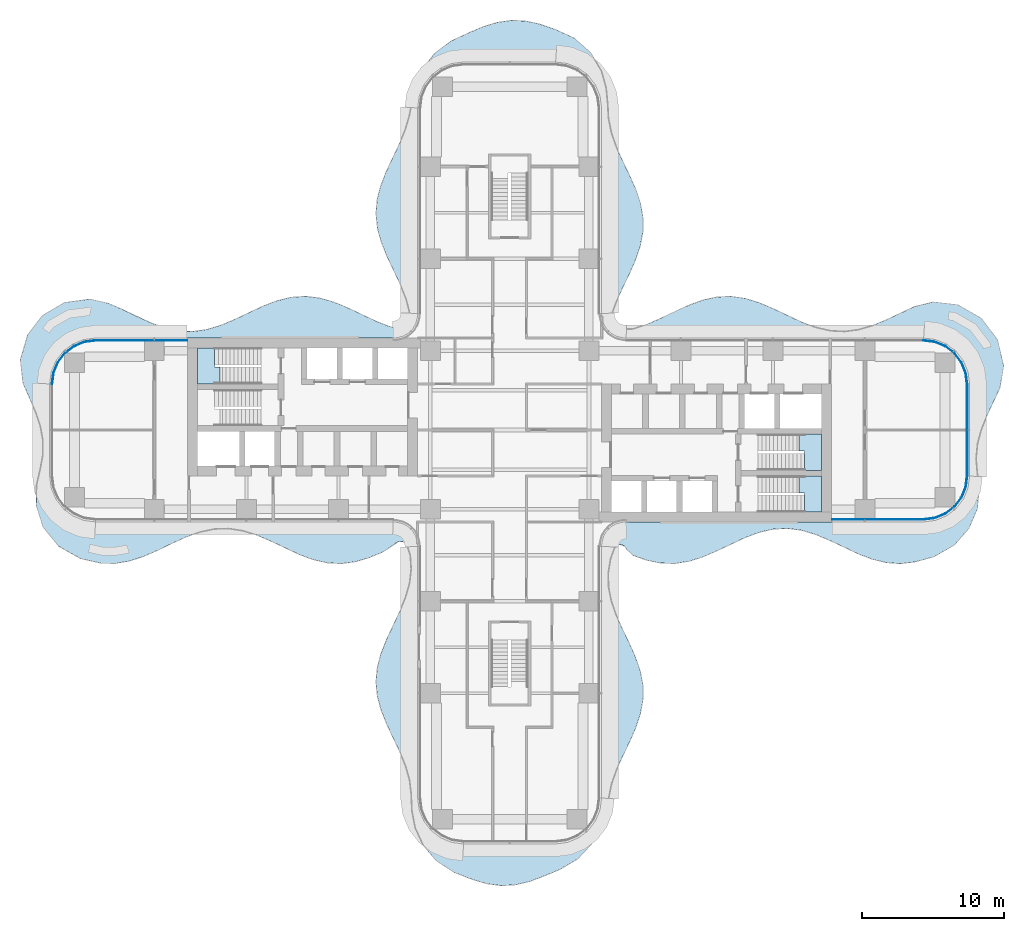
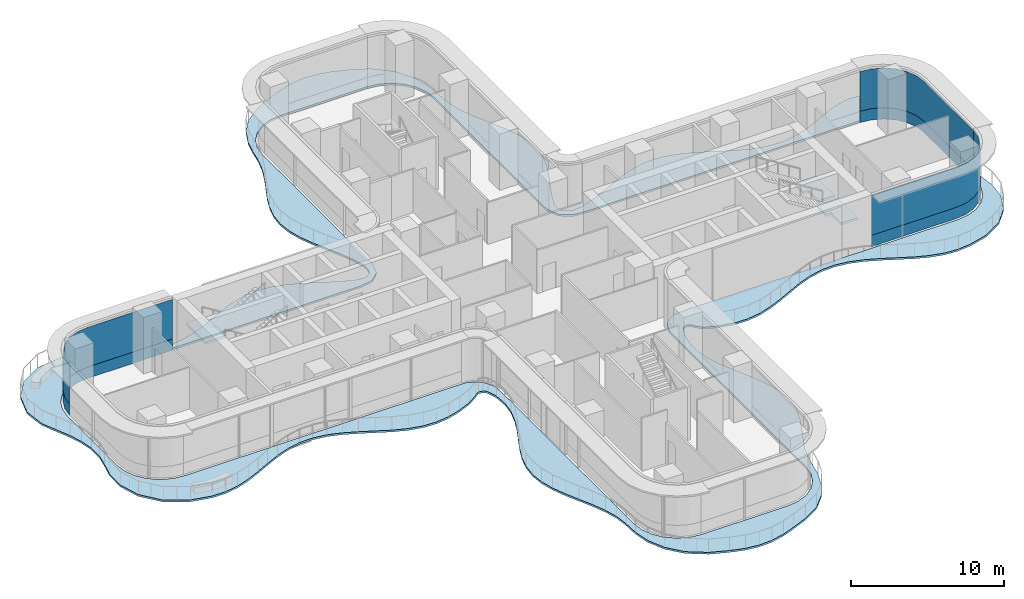
# One storey, part 15 of 22: 6 plates, 4 slabs, 6 elements without a shape of their own.
"""IFC4 building model written with IfcOpenShell, lengths in metres."""

from ifc_helpers import new_model, si_unit, direction, frame, origin, place, context, subcontext, project, spatial, polyline, outline, extrude, source, transform, mapped, material, layer, layer_set, type_object, element, aggregate, save


model = new_model("IFC4")

# Units and contexts
model_context = context("Model", 3, precision=1e-05, world=origin(), true_north=direction((0.0, 1.0)))
body_context = subcontext(model_context, "Body", "Model", "MODEL_VIEW")
ifc_project = project(units=[si_unit("LENGTHUNIT", "METRE"), si_unit("AREAUNIT", "SQUARE_METRE"), si_unit("VOLUMEUNIT", "CUBIC_METRE"), si_unit("PLANEANGLEUNIT", "RADIAN"), si_unit("MASSUNIT", "GRAM", prefix="KILO")], contexts=[model_context])

# Site, building, storey
site_placement = place(None, origin())
site = spatial("IfcSite", under=ifc_project, at=site_placement, CompositionType="ELEMENT")
building_placement = place(site_placement, origin())
building = spatial("IfcBuilding", under=site, at=building_placement, Name="Trellis Farm Tower", CompositionType="ELEMENT")
storey_placement = place(building_placement, frame((0.0, 0.0, 65.5)))
storey = spatial("IfcBuildingStorey", under=building, at=storey_placement, Name="L13", CompositionType="ELEMENT", Elevation=65.5)

# Slab
ifc_material_1 = material(Name="Concrete C40/50", Category="concrete")
ifc_layer_1 = layer(ifc_material_1, 0.14990234375)
ifc_layer_set_1 = layer_set([ifc_layer_1], Name="Balcony slab 150")
slab_type_1 = type_object("IfcSlabType", Name="Balcony slab 150", PredefinedType="FLOOR", material=ifc_layer_set_1)
slab_1_placement = place(storey_placement, frame((0.0, 0.0, -0.14990234375)))
element("IfcSlab", 1, at=slab_1_placement, inside=storey, type_object=slab_type_1, Name="Balcony slab", PredefinedType="FLOOR", context=body_context, shape_type="SweptSolid", body=[
    extrude(outline(polyline([(-33.1640625, -2.758056640625), (-32.98291015625, -1.7919921875), (-32.981689453125, -1.77880859375), (-32.9765625, -0.733154296875), (-32.977783203125, -0.71923828125), (-33.155517578125, 0.2587890625), (-33.158203125, 0.26904296875), (-33.475341796875, 1.21826171875), (-33.4775390625, 1.224365234375), (-34.379638671875, 3.302978515625), (-34.39111328125, 3.345703125), (-34.5693359375, 4.8984375), (-34.56982421875, 4.9287109375), (-34.56640625, 4.966064453125), (-34.56103515625, 4.9951171875), (-34.072265625, 6.67822265625), (-34.061767578125, 6.704345703125), (-34.04541015625, 6.73681640625), (-34.030517578125, 6.760498046875), (-33.012451171875, 8.07958984375), (-32.992431640625, 8.10107421875), (-32.964111328125, 8.1259765625), (-32.940185546875, 8.142822265625), (-31.478759765625, 8.98681640625), (-31.451904296875, 8.9990234375), (-31.416015625, 9.01123046875), (-31.387451171875, 9.017822265625), (-29.67529296875, 9.244873046875), (-29.648193359375, 9.245849609375), (-29.613525390625, 9.244384765625), (-29.58642578125, 9.240478515625), (-28.376220703125, 8.957275390625), (-28.3505859375, 8.94873046875), (-27.3798828125, 8.52880859375), (-27.37451171875, 8.526123046875), (-26.386962890625, 8.05078125), (-26.3857421875, 8.050048828125), (-25.4013671875, 7.59814453125), (-25.39599609375, 7.595947265625), (-24.416015625, 7.233642578125), (-24.406494140625, 7.23095703125), (-23.428466796875, 7.00927734375), (-23.415771484375, 7.007568359375), (-22.434326171875, 6.9580078125), (-22.420654296875, 6.958740234375), (-21.431396484375, 7.09130859375), (-21.419677734375, 7.09375), (-20.38818359375, 7.405029296875), (-20.380615234375, 7.40771484375), (-19.398193359375, 7.82421875), (-19.3955078125, 7.8251953125), (-17.4208984375, 8.7578125), (-17.410400390625, 8.76220703125), (-16.432373046875, 9.135498046875), (-16.414306640625, 9.14111328125), (-15.443115234375, 9.37646484375), (-15.41748046875, 9.38037109375), (-14.4169921875, 9.445068359375), (-14.388916015625, 9.444091796875), (-13.42041015625, 9.3251953125), (-13.39697265625, 9.3203125), (-12.423828125, 9.03857421875), (-12.408203125, 9.033203125), (-11.427001953125, 8.62744140625), (-11.420166015625, 8.62451171875), (-9.44580078125, 7.689697265625), (-9.441162109375, 7.6875), (-8.41748046875, 7.288330078125), (-8.40380859375, 7.284423828125), (-7.833740234375, 7.1806640625), (-7.818603515625, 7.179443359375), (-7.70068359375, 7.181884765625), (-7.67138671875, 7.188720703125), (-7.564208984375, 7.237548828125), (-7.551025390625, 7.2451171875), (-7.26318359375, 7.455078125), (-7.251708984375, 7.465576171875), (-7.170654296875, 7.5556640625), (-7.155517578125, 7.58203125), (-7.11767578125, 7.697265625), (-7.114501953125, 7.71240234375), (-7.058837890625, 8.22216796875), (-7.05859375, 8.236328125), (-7.068115234375, 8.353515625), (-7.070556640625, 8.36767578125), (-7.31591796875, 9.25244140625), (-7.318603515625, 9.26025390625), (-7.727294921875, 10.27978515625), (-7.72900390625, 10.283935546875), (-8.66845703125, 12.267333984375), (-8.671875, 12.275390625), (-9.064453125, 13.24609375), (-9.070068359375, 13.262451171875), (-9.33837890625, 14.23486328125), (-9.343017578125, 14.25927734375), (-9.447021484375, 15.259765625), (-9.447021484375, 15.287841796875), (-9.36572265625, 16.256591796875), (-9.36181640625, 16.281005859375), (-9.118896484375, 17.232421875), (-9.11328125, 17.25), (-8.723388671875, 18.2490234375), (-8.71923828125, 18.2587890625), (-7.784912109375, 20.23291015625), (-7.783447265625, 20.236328125), (-7.375244140625, 21.21826171875), (-7.37255859375, 21.22607421875), (-7.08251953125, 22.2158203125), (-7.08056640625, 22.223388671875), (-6.88525390625, 23.289794921875), (-6.88330078125, 23.298583984375), (-6.62109375, 24.36376953125), (-6.61328125, 24.38720703125), (-6.130615234375, 25.51025390625), (-6.112548828125, 25.541259765625), (-5.321533203125, 26.59130859375), (-5.291015625, 26.62158203125), (-4.14501953125, 27.47119140625), (-4.119140625, 27.486572265625), (-2.87646484375, 28.068115234375), (-2.87158203125, 28.0703125), (-1.889892578125, 28.487548828125), (-1.875, 28.492919921875), (-0.875, 28.798583984375), (-0.85205078125, 28.8037109375), (0.122314453125, 28.940185546875), (0.149658203125, 28.94140625), (1.118896484375, 28.8984375), (1.14453125, 28.89501953125), (2.114990234375, 28.68017578125), (2.130859375, 28.67578125), (3.177001953125, 28.320068359375), (3.190673828125, 28.314697265625), (4.54345703125, 27.700439453125), (4.581298828125, 27.67578125), (5.7333984375, 26.646240234375), (5.762939453125, 26.60986328125), (6.48193359375, 25.376220703125), (6.496826171875, 25.3408203125), (6.814697265625, 24.19091796875), (6.819580078125, 24.16552734375), (6.927978515625, 23.05419921875), (6.928466796875, 23.0478515625), (6.98388671875, 22.0283203125), (6.985107421875, 22.017578125), (7.1943359375, 20.982421875), (7.197021484375, 20.97216796875), (7.544189453125, 19.99267578125), (7.54638671875, 19.98681640625), (7.99072265625, 19.0029296875), (7.991455078125, 19.001220703125), (8.470458984375, 18.0087890625), (8.472412109375, 18.004150390625), (8.9111328125, 17.010986328125), (8.916259765625, 16.997802734375), (9.245849609375, 16.012939453125), (9.251220703125, 15.99169921875), (9.425048828125, 15.015625), (9.42724609375, 14.988525390625), (9.423095703125, 14.018798828125), (9.42041015625, 13.9921875), (9.240234375, 13.022705078125), (9.23486328125, 13.001708984375), (8.9033203125, 12.026123046875), (8.8984375, 12.013427734375), (8.464111328125, 11.03466796875), (8.4619140625, 11.0302734375), (7.98291015625, 10.0380859375), (7.982177734375, 10.0361328125), (7.537353515625, 9.04833984375), (7.53564453125, 9.043701171875), (7.22021484375, 8.203857421875), (7.216064453125, 8.18798828125), (7.197265625, 8.052490234375), (7.197021484375, 8.035888671875), (7.2333984375, 7.59765625), (7.23681640625, 7.581298828125), (7.27587890625, 7.45751953125), (7.29248046875, 7.42919921875), (7.38134765625, 7.33447265625), (7.39404296875, 7.323486328125), (7.706787109375, 7.11279296875), (7.730712890625, 7.102294921875), (7.939697265625, 7.051025390625), (7.966552734375, 7.04931640625), (8.70263671875, 7.139892578125), (8.716796875, 7.14306640625), (9.685546875, 7.458984375), (9.692138671875, 7.461669921875), (10.662841796875, 7.884521484375), (10.66552734375, 7.885498046875), (11.667724609375, 8.3681640625), (11.67041015625, 8.369384765625), (12.65283203125, 8.818359375), (12.663818359375, 8.822998046875), (13.640869140625, 9.17919921875), (13.66015625, 9.18505859375), (14.630615234375, 9.3974609375), (14.656494140625, 9.40087890625), (15.625732421875, 9.440673828125), (15.6533203125, 9.439208984375), (16.627685546875, 9.299560546875), (16.650390625, 9.29443359375), (17.633544921875, 8.992431640625), (17.648193359375, 8.987060546875), (18.647705078125, 8.561767578125), (18.65283203125, 8.559326171875), (20.62646484375, 7.62841796875), (20.632080078125, 7.626220703125), (21.61181640625, 7.255615234375), (21.621337890625, 7.252685546875), (22.65869140625, 7.01123046875), (22.671875, 7.00927734375), (23.6572265625, 6.957763671875), (23.6708984375, 6.958251953125), (24.64990234375, 7.087158203125), (24.661376953125, 7.089599609375), (25.603759765625, 7.3662109375), (25.611328125, 7.368896484375), (26.62939453125, 7.79150390625), (26.6328125, 7.79296875), (28.5869140625, 8.717529296875), (28.615966796875, 8.727783203125), (29.909912109375, 9.03955078125), (29.936279296875, 9.04345703125), (29.970458984375, 9.04541015625), (29.996826171875, 9.044677734375), (31.6142578125, 8.851806640625), (31.643310546875, 8.845458984375), (31.679931640625, 8.833251953125), (31.707275390625, 8.8212890625), (33.263671875, 7.93603515625), (33.288330078125, 7.918701171875), (33.31787109375, 7.892822265625), (33.33837890625, 7.87060546875), (34.446533203125, 6.409423828125), (34.462646484375, 6.3828125), (34.47998046875, 6.34619140625), (34.490234375, 6.316650390625), (34.8994140625, 4.573486328125), (34.9033203125, 4.544189453125), (34.904541015625, 4.50634765625), (34.902587890625, 4.476318359375), (34.653564453125, 3.009033203125), (34.6416015625, 2.970458984375), (33.712646484375, 0.9892578125), (33.7109375, 0.985107421875), (33.325439453125, 0.023193359375), (33.32275390625, 0.014892578125), (33.056884765625, -0.962890625), (33.0546875, -0.975341796875), (32.95361328125, -2.01953125), (32.95361328125, -2.033203125), (33.03857421875, -3.001220703125), (33.038818359375, -3.00390625), (33.179931640625, -4.1533203125), (33.180419921875, -4.185791015625), (33.054931640625, -5.5205078125), (33.043701171875, -5.56494140625), (32.46484375, -6.927734375), (32.439208984375, -6.968505859375), (31.418212890625, -8.125732421875), (31.380126953125, -8.15673828125), (29.9794921875, -8.956787109375), (29.944091796875, -8.97119140625), (28.615478515625, -9.329833984375), (28.593505859375, -9.333984375), (27.61767578125, -9.445556640625), (27.590087890625, -9.4462890625), (26.621337890625, -9.377685546875), (26.59619140625, -9.373779296875), (25.624755859375, -9.135498046875), (25.60693359375, -9.1298828125), (24.639892578125, -8.75927734375), (24.629638671875, -8.7548828125), (22.643798828125, -7.817138671875), (22.640869140625, -7.81591796875), (21.623779296875, -7.388671875), (21.6162109375, -7.385986328125), (20.619140625, -7.08984375), (20.607666015625, -7.08740234375), (19.618408203125, -6.9580078125), (19.6044921875, -6.95751953125), (18.623291015625, -7.010009765625), (18.610595703125, -7.011962890625), (17.6328125, -7.236328125), (17.623291015625, -7.239013671875), (16.6435546875, -7.603515625), (16.6376953125, -7.605712890625), (14.6640625, -8.534912109375), (14.659423828125, -8.536865234375), (13.659912109375, -8.966796875), (13.64599609375, -8.97216796875), (12.68798828125, -9.27587890625), (12.666015625, -9.281005859375), (11.697021484375, -9.43408203125), (11.66943359375, -9.435791015625), (10.668701171875, -9.40771484375), (10.64208984375, -9.404296875), (9.672119140625, -9.20068359375), (9.65234375, -9.195068359375), (8.730224609375, -8.865478515625), (8.69970703125, -8.850341796875), (8.662841796875, -8.82666015625), (8.636474609375, -8.804931640625), (8.26318359375, -8.420654296875), (8.24658203125, -8.400390625), (8.130859375, -8.2294921875), (8.114990234375, -8.212646484375), (7.96728515625, -8.097412109375), (7.923583984375, -8.081787109375), (7.73681640625, -8.07958984375), (7.712890625, -8.0830078125), (7.647216796875, -8.104248046875), (7.632080078125, -8.111083984375), (7.520263671875, -8.17724609375), (7.49658203125, -8.199951171875), (7.424560546875, -8.3076171875), (7.416748046875, -8.322998046875), (7.14013671875, -9.0625), (7.13671875, -9.076171875), (6.970703125, -10.057861328125), (6.9697265625, -10.0712890625), (6.9833984375, -11.05419921875), (6.98486328125, -11.0673828125), (7.174560546875, -12.04541015625), (7.17724609375, -12.0556640625), (7.50390625, -13.006103515625), (7.50634765625, -13.01220703125), (7.952392578125, -14.01513671875), (7.953369140625, -14.017333984375), (8.434326171875, -15.013916015625), (8.436279296875, -15.017578125), (8.876953125, -16.001953125), (8.8818359375, -16.014404296875), (9.226806640625, -17.014404296875), (9.232177734375, -17.034912109375), (9.414794921875, -17.980712890625), (9.41748046875, -18.007080078125), (9.431640625, -18.9765625), (9.4296875, -19.00390625), (9.2587890625, -20.00439453125), (9.25341796875, -20.0263671875), (8.931396484375, -21.001220703125), (8.926513671875, -21.014404296875), (8.498046875, -21.991943359375), (8.49560546875, -21.996826171875), (8.016845703125, -22.989990234375), (8.01611328125, -22.99169921875), (7.568603515625, -23.9755859375), (7.566162109375, -23.981201171875), (7.212890625, -24.9599609375), (7.2099609375, -24.970458984375), (6.779296875, -27.08740234375), (6.773681640625, -27.107421875), (6.390625, -28.191650390625), (6.3798828125, -28.215576171875), (5.788330078125, -29.26220703125), (5.767578125, -29.29052734375), (4.833251953125, -30.29150390625), (4.799560546875, -30.318603515625), (3.555908203125, -31.04931640625), (3.53759765625, -31.058349609375), (2.37841796875, -31.541259765625), (2.373046875, -31.543212890625), (1.395751953125, -31.90771484375), (1.376953125, -31.913330078125), (0.40625, -32.137451171875), (0.380615234375, -32.14111328125), (-0.58837890625, -32.193603515625), (-0.615966796875, -32.192626953125), (-1.58984375, -32.065673828125), (-1.61328125, -32.060546875), (-2.61279296875, -31.763427734375), (-2.6240234375, -31.759765625), (-3.88037109375, -31.276123046875), (-3.90869140625, -31.26171875), (-5.177978515625, -30.431640625), (-5.210693359375, -30.402587890625), (-6.111083984375, -29.32958984375), (-6.1328125, -29.295166015625), (-6.68017578125, -28.09228515625), (-6.691162109375, -28.057373046875), (-6.909423828125, -26.871337890625), (-6.91162109375, -26.849853515625), (-6.95263671875, -25.73974609375), (-6.953125, -25.733642578125), (-7.072021484375, -24.727294921875), (-7.074462890625, -24.715576171875), (-7.353515625, -23.7373046875), (-7.356201171875, -23.7294921875), (-7.75927734375, -22.747802734375), (-7.7607421875, -22.744140625), (-8.69580078125, -20.77001953125), (-8.69970703125, -20.760986328125), (-9.0888671875, -19.78173828125), (-9.094482421875, -19.7646484375), (-9.35205078125, -18.792724609375), (-9.3564453125, -18.768310546875), (-9.447265625, -17.7998046875), (-9.447265625, -17.771728515625), (-9.35302734375, -16.77099609375), (-9.3486328125, -16.74609375), (-9.08837890625, -15.7744140625), (-9.082763671875, -15.757568359375), (-8.691650390625, -14.77783203125), (-8.68798828125, -14.769287109375), (-7.752685546875, -12.794921875), (-7.751220703125, -12.791259765625), (-7.35009765625, -11.809814453125), (-7.347412109375, -11.8017578125), (-7.07080078125, -10.823486328125), (-7.068603515625, -10.811767578125), (-6.955322265625, -9.832275390625), (-6.955078125, -9.818603515625), (-7.021728515625, -8.846923828125), (-7.023193359375, -8.8369140625), (-7.039794921875, -8.757568359375), (-7.042236328125, -8.748291015625), (-7.2529296875, -8.14404296875), (-7.260498046875, -8.12841796875), (-7.334228515625, -8.013427734375), (-7.35888671875, -7.989501953125), (-7.4765625, -7.920654296875), (-7.49267578125, -7.91357421875), (-7.627685546875, -7.872314453125), (-7.645751953125, -7.869140625), (-7.787353515625, -7.862060546875), (-7.822509765625, -7.868896484375), (-7.950927734375, -7.928955078125), (-7.96630859375, -7.9384765625), (-8.202392578125, -8.129150390625), (-8.214111328125, -8.1376953125), (-8.919677734375, -8.602294921875), (-8.944091796875, -8.615234375), (-9.896728515625, -9.013916015625), (-9.912109375, -9.019287109375), (-10.885498046875, -9.308837890625), (-10.908447265625, -9.313720703125), (-11.87744140625, -9.442138671875), (-11.90478515625, -9.443115234375), (-12.8759765625, -9.392578125), (-12.901611328125, -9.38916015625), (-13.88037109375, -9.16455078125), (-13.8994140625, -9.15869140625), (-14.88623046875, -8.790283203125), (-14.897705078125, -8.785400390625), (-16.88427734375, -7.849853515625), (-16.88671875, -7.8486328125), (-17.869384765625, -7.427734375), (-17.87646484375, -7.425048828125), (-18.855224609375, -7.117919921875), (-18.8662109375, -7.115478515625), (-19.8447265625, -6.965087890625), (-19.8583984375, -6.964111328125), (-20.843017578125, -6.992919921875), (-20.856201171875, -6.994384765625), (-21.84912109375, -7.201904296875), (-21.859130859375, -7.20458984375), (-22.8583984375, -7.56298828125), (-22.864013671875, -7.565185546875), (-23.867431640625, -8.021484375), (-23.868896484375, -8.022216796875), (-24.869140625, -8.504150390625), (-24.874267578125, -8.50634765625), (-25.851318359375, -8.933349609375), (-25.86474609375, -8.9384765625), (-26.839599609375, -9.258056640625), (-26.861328125, -9.263427734375), (-27.83056640625, -9.4287109375), (-27.857666015625, -9.4306640625), (-28.823974609375, -9.4189453125), (-28.8544921875, -9.41552734375), (-30.269775390625, -9.103515625), (-30.310546875, -9.087890625), (-31.843994140625, -8.23046875), (-31.867919921875, -8.2138671875), (-31.896484375, -8.189453125), (-31.916748046875, -8.16845703125), (-32.94580078125, -6.8740234375), (-32.960693359375, -6.850830078125), (-32.977783203125, -6.819091796875), (-32.98828125, -6.79345703125), (-33.43798828125, -5.348388671875), (-33.444580078125, -5.302490234375), (-33.4296875, -3.91064453125), (-33.42578125, -3.8779296875), (-33.164794921875, -2.76123046875), (-33.1640625, -2.758056640625)]), holes=[polyline([(-8.456298828125, 6.50048828125), (-29.25, 6.50048828125), (-30.09130859375, 6.389892578125), (-30.875244140625, 6.065185546875), (-31.548583984375, 5.548583984375), (-32.065185546875, 4.875244140625), (-32.389892578125, 4.09130859375), (-32.50048828125, 3.25), (-32.50048828125, -3.25), (-32.389892578125, -4.09130859375), (-32.065185546875, -4.875244140625), (-31.548583984375, -5.548583984375), (-30.875244140625, -6.065185546875), (-30.09130859375, -6.389892578125), (-29.25, -6.50048828125), (-8.893798828125, -6.50048828125), (-7.973388671875, -6.525390625), (-7.94189453125, -6.52978515625), (-7.90234375, -6.539306640625), (-7.872314453125, -6.550048828125), (-7.106689453125, -6.919921875), (-7.0693359375, -6.94580078125), (-7.0283203125, -6.984130859375), (-7.00048828125, -7.019775390625), (-6.58544921875, -7.75439453125), (-6.572265625, -7.785888671875), (-6.559814453125, -7.827880859375), (-6.55419921875, -7.861572265625), (-6.50048828125, -8.785888671875), (-6.50048828125, -26.0), (-6.389892578125, -26.84130859375), (-6.065185546875, -27.625244140625), (-5.548583984375, -28.298583984375), (-4.875244140625, -28.815185546875), (-4.09130859375, -29.139892578125), (-3.25, -29.25048828125), (3.25, -29.25048828125), (4.09130859375, -29.139892578125), (4.875244140625, -28.815185546875), (5.548583984375, -28.298583984375), (6.065185546875, -27.625244140625), (6.389892578125, -26.84130859375), (6.50048828125, -26.0), (6.50048828125, -8.989501953125), (6.511962890625, -8.083984375), (6.514892578125, -8.057373046875), (6.521484375, -8.023193359375), (6.52880859375, -7.997314453125), (6.840087890625, -7.19580078125), (6.863525390625, -7.155517578125), (6.899658203125, -7.111083984375), (6.934326171875, -7.079833984375), (7.63720703125, -6.621826171875), (7.670166015625, -6.605712890625), (7.714111328125, -6.590576171875), (7.749755859375, -6.5830078125), (8.677490234375, -6.50048828125), (29.25, -6.50048828125), (30.09130859375, -6.389892578125), (30.875244140625, -6.065185546875), (31.548583984375, -5.548583984375), (32.065185546875, -4.875244140625), (32.389892578125, -4.09130859375), (32.50048828125, -3.25), (32.50048828125, 3.25), (32.389892578125, 4.09130859375), (32.065185546875, 4.875244140625), (31.548583984375, 5.548583984375), (30.875244140625, 6.065185546875), (30.09130859375, 6.389892578125), (29.25, 6.50048828125), (8.677490234375, 6.50048828125), (7.749755859375, 6.5830078125), (7.714111328125, 6.590576171875), (7.670166015625, 6.605712890625), (7.63720703125, 6.621826171875), (6.934326171875, 7.079833984375), (6.899658203125, 7.111083984375), (6.863525390625, 7.155517578125), (6.840087890625, 7.19580078125), (6.52880859375, 7.997314453125), (6.521484375, 8.023193359375), (6.514892578125, 8.057373046875), (6.511962890625, 8.083984375), (6.50048828125, 8.989501953125), (6.50048828125, 22.75), (6.389892578125, 23.59130859375), (6.065185546875, 24.375244140625), (5.548583984375, 25.048583984375), (4.875244140625, 25.565185546875), (4.09130859375, 25.889892578125), (3.25, 26.00048828125), (-3.25, 26.00048828125), (-4.09130859375, 25.889892578125), (-4.875244140625, 25.565185546875), (-5.548583984375, 25.048583984375), (-6.065185546875, 24.375244140625), (-6.389892578125, 23.59130859375), (-6.50048828125, 22.75), (-6.50048828125, 8.313720703125), (-6.50439453125, 8.282470703125), (-6.724365234375, 7.396484375), (-6.7412109375, 7.355712890625), (-6.768798828125, 7.309814453125), (-6.7958984375, 7.276123046875), (-7.408935546875, 6.71240234375), (-7.444580078125, 6.68798828125), (-7.492919921875, 6.66455078125), (-7.534423828125, 6.651123046875), (-8.439208984375, 6.501953125), (-8.456298828125, 6.50048828125)])]), origin(), (0.0, 0.0, 1.0), 0.14990234375),
])

# Stair, slab
ifc_material_2 = material(Name="Concrete C50/60", Category="concrete")
stair_type = type_object("IfcStairType", Name="CORE EXIT STAIR 26 RISERS 173 MM", PredefinedType="HALF_TURN_STAIR", material=ifc_material_2)
placement_1 = place(storey_placement, origin())
stair_1 = element("IfcStair", 2, at=placement_1, inside=storey, type_object=stair_type, Name="Exit stair E1", PredefinedType="HALF_TURN_STAIR")
ifc_layer_2 = layer(ifc_material_2, 0.18994140625)
ifc_layer_set_2 = layer_set([ifc_layer_2], Name="CORE STAIR LANDING 190 CONCRETE C50/60")
slab_type_2 = type_object("IfcSlabType", Name="CORE STAIR LANDING 190 CONCRETE C50/60", PredefinedType="LANDING", material=ifc_layer_set_2)
shared_shape_1 = source(origin(), body_context, "Body", "SweptSolid", [
    extrude(outline(polyline([(20.840087890625, -5.800048828125), (20.840087890625, -4.60009765625), (20.85009765625, -4.60009765625), (20.85009765625, -4.449951171875), (20.453125, -4.449951171875), (20.453125, -3.25), (20.85009765625, -3.25), (22.050048828125, -3.25), (22.050048828125, -5.800048828125), (20.85009765625, -5.800048828125), (20.840087890625, -5.800048828125)])), origin(), (0.0, 0.0, 1.0), 0.18994140625),
])
placement_2 = place(storey_placement, frame((0.0, 0.0, 2.06005859375)))
slab_2 = element("IfcSlab", 3, at=placement_2, type_object=slab_type_2, Name="STE1 landing 1", PredefinedType="LANDING", context=body_context, shape_type="MappedRepresentation", body=[
    mapped(shared_shape_1, transform((0.0, 0.0, 0.0))),
])
aggregate(stair_1, [slab_2])

stair_2 = element("IfcStair", 4, at=placement_1, inside=storey, type_object=stair_type, Name="Exit stair E2", PredefinedType="HALF_TURN_STAIR")
shared_shape_2 = source(origin(), body_context, "Body", "SweptSolid", [
    extrude(outline(polyline([(20.840087890625, -2.85009765625), (20.840087890625, -1.64990234375), (20.85009765625, -1.64990234375), (20.85009765625, -1.5), (20.453125, -1.5), (20.453125, -0.300048828125), (20.85009765625, -0.300048828125), (22.050048828125, -0.300048828125), (22.050048828125, -2.85009765625), (20.85009765625, -2.85009765625), (20.840087890625, -2.85009765625)])), origin(), (0.0, 0.0, 1.0), 0.18994140625),
])
slab_3 = element("IfcSlab", 5, at=placement_2, type_object=slab_type_2, Name="STE2 landing 1", PredefinedType="LANDING", context=body_context, shape_type="MappedRepresentation", body=[
    mapped(shared_shape_2, transform((0.0, 0.0, 0.0))),
])
aggregate(stair_2, [slab_3])

stair_3 = element("IfcStair", 6, at=placement_1, inside=storey, type_object=stair_type, Name="Exit stair W1", PredefinedType="HALF_TURN_STAIR")
shared_shape_3 = source(origin(), body_context, "Body", "SweptSolid", [
    extrude(outline(polyline([(-20.453125, 4.449951171875), (-20.453125, 3.25), (-20.85009765625, 3.25), (-22.050048828125, 3.25), (-22.050048828125, 5.800048828125), (-20.85009765625, 5.800048828125), (-20.840087890625, 5.800048828125), (-20.840087890625, 4.60009765625), (-20.85009765625, 4.60009765625), (-20.85009765625, 4.449951171875), (-20.453125, 4.449951171875)])), origin(), (0.0, 0.0, 1.0), 0.18994140625),
])
slab_4 = element("IfcSlab", 7, at=placement_2, type_object=slab_type_2, Name="STW1 landing 1", PredefinedType="LANDING", context=body_context, shape_type="MappedRepresentation", body=[
    mapped(shared_shape_3, transform((0.0, 0.0, 0.0))),
])
aggregate(stair_3, [slab_4])

# Curtain wall, plates
ifc_material_3 = material(Name="Aluminium and glass curtain wall", Category="aluminium")
ifc_layer_3 = layer(ifc_material_3, 0.18994140625)
ifc_layer_set_3 = layer_set([ifc_layer_3], Name="RIBBON CURTAIN WALL CW1")
curtain_wall_type = type_object("IfcCurtainWallType", Name="RIBBON CURTAIN WALL CW1", PredefinedType="NOTDEFINED", material=ifc_layer_set_3)
curtain_wall_1 = element("IfcCurtainWall", 8, at=placement_1, inside=storey, type_object=curtain_wall_type, Name="CW1 006", PredefinedType="NOTDEFINED")
ifc_material_4 = material(Name="Clear insulated glass", Category="glass")
ifc_layer_4 = layer(ifc_material_4, 0.0400390625)
ifc_layer_set_4 = layer_set([ifc_layer_4], Name="CW1 GLASS PANEL 40")
plate_type_1 = type_object("IfcPlateType", Name="CW1 GLASS PANEL 40", PredefinedType="CURTAIN_PANEL", material=ifc_layer_set_4)
shared_shape_4 = source(origin(), body_context, "Body", "SweptSolid", [
    extrude(outline(polyline([(22.780029296875, -6.35009765625), (29.240234375, -6.35009765625), (30.052001953125, -6.2431640625), (30.79931640625, -5.93359375), (31.441162109375, -5.441162109375), (31.93359375, -4.79931640625), (32.2431640625, -4.052001953125), (32.35009765625, -3.240234375), (32.31005859375, -3.237548828125), (32.2041015625, -4.04150390625), (31.898681640625, -4.779296875), (31.41259765625, -5.41259765625), (30.779296875, -5.898681640625), (30.04150390625, -6.2041015625), (29.237548828125, -6.31005859375), (22.780029296875, -6.31005859375), (22.780029296875, -6.35009765625)])), origin(), (0.0, 0.0, 1.0), 3.170166015625),
])
placement_3 = place(storey_placement, frame((0.0, 0.0, 0.89990234375)))
plate_1 = element("IfcPlate", 9, at=placement_3, type_object=plate_type_1, Name="PL1 006", PredefinedType="CURTAIN_PANEL", context=body_context, shape_type="MappedRepresentation", body=[
    mapped(shared_shape_4, transform((0.0, 0.0, 0.0))),
])
ifc_material_5 = material(Name="Sandstone faced insulated panel", Category="masonry")
ifc_layer_5 = layer(ifc_material_5, 0.050048828125)
ifc_layer_set_5 = layer_set([ifc_layer_5], Name="CW1 STONE SPANDREL PANEL 50")
plate_type_2 = type_object("IfcPlateType", Name="CW1 STONE SPANDREL PANEL 50", PredefinedType="CURTAIN_PANEL", material=ifc_layer_set_5)
shared_shape_5 = source(origin(), body_context, "Body", "SweptSolid", [
    extrude(outline(polyline([(22.780029296875, -6.35009765625), (29.240234375, -6.35009765625), (30.052001953125, -6.2431640625), (30.79931640625, -5.93359375), (31.441162109375, -5.441162109375), (31.93359375, -4.79931640625), (32.2431640625, -4.052001953125), (32.35009765625, -3.240234375), (32.300048828125, -3.23681640625), (32.1943359375, -4.0390625), (31.889892578125, -4.774169921875), (31.405517578125, -5.405517578125), (30.774169921875, -5.889892578125), (30.0390625, -6.1943359375), (29.23681640625, -6.300048828125), (22.780029296875, -6.300048828125), (22.780029296875, -6.35009765625)])), origin(), (0.0, 0.0, 1.0), 0.89990234375),
])
plate_2 = element("IfcPlate", 10, at=placement_1, type_object=plate_type_2, Name="PS1 006", PredefinedType="CURTAIN_PANEL", context=body_context, shape_type="MappedRepresentation", body=[
    mapped(shared_shape_5, transform((0.0, 0.0, 0.0))),
])
aggregate(curtain_wall_1, [plate_1, plate_2])

curtain_wall_2 = element("IfcCurtainWall", 11, at=placement_1, inside=storey, type_object=curtain_wall_type, Name="CW1 012", PredefinedType="NOTDEFINED")
shared_shape_6 = source(origin(), body_context, "Body", "SweptSolid", [
    extrude(outline(polyline([(-22.780029296875, 6.35009765625), (-29.240234375, 6.35009765625), (-30.052001953125, 6.2431640625), (-30.79931640625, 5.93359375), (-31.441162109375, 5.441162109375), (-31.93359375, 4.79931640625), (-32.2431640625, 4.052001953125), (-32.35009765625, 3.240234375), (-32.31005859375, 3.237548828125), (-32.2041015625, 4.04150390625), (-31.898681640625, 4.779296875), (-31.41259765625, 5.41259765625), (-30.779296875, 5.898681640625), (-30.04150390625, 6.2041015625), (-29.237548828125, 6.31005859375), (-22.780029296875, 6.31005859375), (-22.780029296875, 6.35009765625)])), origin(), (0.0, 0.0, 1.0), 3.170166015625),
])
plate_3 = element("IfcPlate", 12, at=placement_3, type_object=plate_type_1, Name="PL1 012", PredefinedType="CURTAIN_PANEL", context=body_context, shape_type="MappedRepresentation", body=[
    mapped(shared_shape_6, transform((0.0, 0.0, 0.0))),
])
shared_shape_7 = source(origin(), body_context, "Body", "SweptSolid", [
    extrude(outline(polyline([(-22.780029296875, 6.35009765625), (-29.240234375, 6.35009765625), (-30.052001953125, 6.2431640625), (-30.79931640625, 5.93359375), (-31.441162109375, 5.441162109375), (-31.93359375, 4.79931640625), (-32.2431640625, 4.052001953125), (-32.35009765625, 3.240234375), (-32.300048828125, 3.23681640625), (-32.1943359375, 4.0390625), (-31.889892578125, 4.774169921875), (-31.405517578125, 5.405517578125), (-30.774169921875, 5.889892578125), (-30.0390625, 6.1943359375), (-29.23681640625, 6.300048828125), (-22.780029296875, 6.300048828125), (-22.780029296875, 6.35009765625)])), origin(), (0.0, 0.0, 1.0), 0.89990234375),
])
plate_4 = element("IfcPlate", 13, at=placement_1, type_object=plate_type_2, Name="PS1 012", PredefinedType="CURTAIN_PANEL", context=body_context, shape_type="MappedRepresentation", body=[
    mapped(shared_shape_7, transform((0.0, 0.0, 0.0))),
])
aggregate(curtain_wall_2, [plate_3, plate_4])

curtain_wall_3 = element("IfcCurtainWall", 14, at=placement_1, inside=storey, type_object=curtain_wall_type, Name="CW1 007", PredefinedType="NOTDEFINED")
shared_shape_8 = source(origin(), body_context, "Body", "SweptSolid", [
    extrude(outline(polyline([(32.35009765625, -3.240234375), (32.35009765625, 3.240234375), (32.2431640625, 4.052001953125), (31.93359375, 4.79931640625), (31.441162109375, 5.441162109375), (30.79931640625, 5.93359375), (30.052001953125, 6.2431640625), (29.240234375, 6.35009765625), (29.237548828125, 6.31005859375), (30.04150390625, 6.2041015625), (30.779296875, 5.898681640625), (31.41259765625, 5.41259765625), (31.898681640625, 4.779296875), (32.2041015625, 4.04150390625), (32.31005859375, 3.237548828125), (32.31005859375, -3.237548828125), (32.35009765625, -3.240234375)])), origin(), (0.0, 0.0, 1.0), 3.170166015625),
])
plate_5 = element("IfcPlate", 15, at=placement_3, type_object=plate_type_1, Name="PL1 007", PredefinedType="CURTAIN_PANEL", context=body_context, shape_type="MappedRepresentation", body=[
    mapped(shared_shape_8, transform((0.0, 0.0, 0.0))),
])
shared_shape_9 = source(origin(), body_context, "Body", "SweptSolid", [
    extrude(outline(polyline([(32.35009765625, -3.240234375), (32.35009765625, 3.240234375), (32.2431640625, 4.052001953125), (31.93359375, 4.79931640625), (31.441162109375, 5.441162109375), (30.79931640625, 5.93359375), (30.052001953125, 6.2431640625), (29.240234375, 6.35009765625), (29.23681640625, 6.300048828125), (30.0390625, 6.1943359375), (30.774169921875, 5.889892578125), (31.405517578125, 5.405517578125), (31.889892578125, 4.774169921875), (32.1943359375, 4.0390625), (32.300048828125, 3.23681640625), (32.300048828125, -3.23681640625), (32.35009765625, -3.240234375)])), origin(), (0.0, 0.0, 1.0), 0.89990234375),
])
plate_6 = element("IfcPlate", 16, at=placement_1, type_object=plate_type_2, Name="PS1 007", PredefinedType="CURTAIN_PANEL", context=body_context, shape_type="MappedRepresentation", body=[
    mapped(shared_shape_9, transform((0.0, 0.0, 0.0))),
])
aggregate(curtain_wall_3, [plate_5, plate_6])

save(model, "model.ifc")
